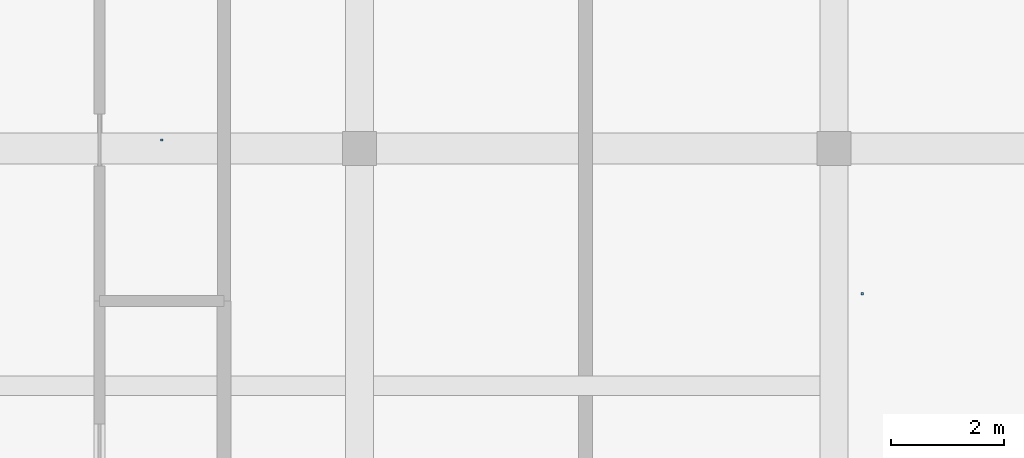
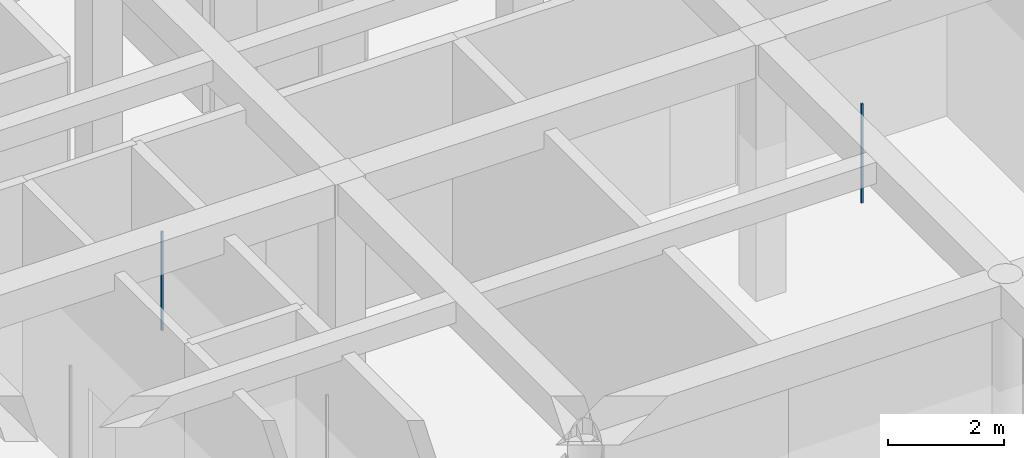
# One storey, part 123 of 157: 2 discrete accessories.
"""IFC4 building model written with IfcOpenShell, lengths in metres."""

from ifc_helpers import new_model, si_unit, direction, frame, origin, origin_2d, place, context, subcontext, project, spatial, rectangle, extrude, material, type_object, element, save


model = new_model("IFC4")

# Units and contexts
model_context = context("Model", 3, precision=1e-05, world=origin(), true_north=direction((0.0, 1.0)))
body_context = subcontext(model_context, "Body", "Model", "MODEL_VIEW")
ifc_project = project(units=[si_unit("LENGTHUNIT", "METRE"), si_unit("AREAUNIT", "SQUARE_METRE"), si_unit("VOLUMEUNIT", "CUBIC_METRE"), si_unit("PLANEANGLEUNIT", "RADIAN"), si_unit("MASSUNIT", "GRAM", prefix="KILO")], contexts=[model_context])

# Site, building, storey
site_placement = place(None, origin())
site = spatial("IfcSite", under=ifc_project, at=site_placement, CompositionType="ELEMENT")
building_placement = place(site_placement, origin())
building = spatial("IfcBuilding", under=site, at=building_placement, Name="Varncliffe General Hospital", CompositionType="ELEMENT")
storey_placement = place(building_placement, frame((0.0, 0.0, 5.39990234375)))
storey = spatial("IfcBuildingStorey", under=building, at=storey_placement, Name="L01", CompositionType="ELEMENT", Elevation=5.39990234375)

# Discrete accessories
ifc_material = material(Name="Powder-coated hospital steel guardrail and handrail", Category="steel")
discrete_accessory_type = type_object("IfcDiscreteAccessoryType", Name="Suspended Ceiling Hanger Bracket CH01", PredefinedType="BRACKET", material=ifc_material)
for number, where, z_axis, x_axis, name in (
    (1, (97.300048828125, 82.949951171875, 3.18994140625), (0.0, 0.0, 1.0), (1.0, 0.0, 0.0), "L01 Suspended Ceiling Hanger 168"),
    (2, (109.699951171875, 80.22998046875, 3.18994140625), (0.0, 0.0, 1.0), (1.0, 0.0, 0.0), "L01 Suspended Ceiling Hanger 170"),
):
    element("IfcDiscreteAccessory", number, at=place(storey_placement, frame(where, z_axis=z_axis, x_axis=x_axis)), inside=storey, type_object=discrete_accessory_type, Name=name, PredefinedType="BRACKET", context=body_context, shape_type="SweptSolid", body=[
        extrude(rectangle(XDim=0.0400390625, YDim=0.0400390625, at=origin_2d()), origin(), (0.0, 0.0, 1.0), 2.090087890625),
    ])

save(model, "model.ifc")
